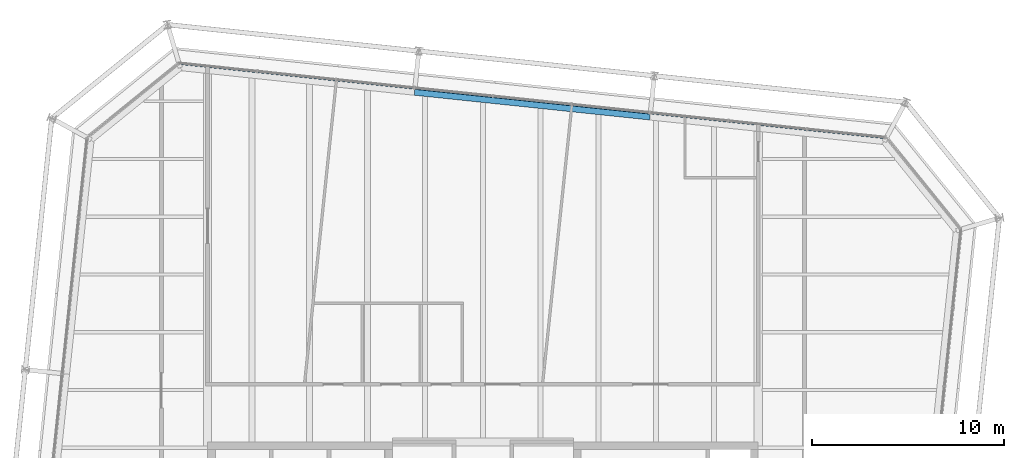
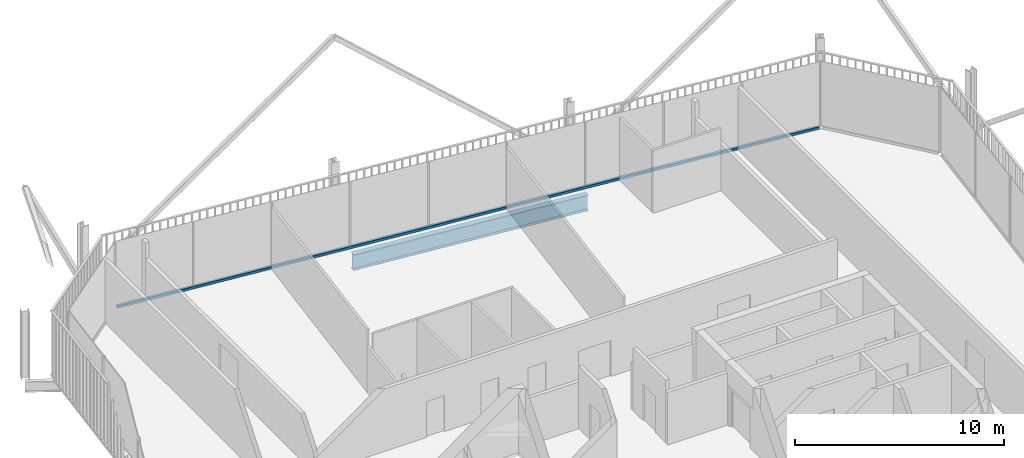
# One storey, part 13 of 21: 1 beam, 1 member, 1 element without a shape of its own.
"""IFC4 building model written with IfcOpenShell, lengths in metres."""

from ifc_helpers import new_model, si_unit, direction, frame, origin, origin_2d, place, context, subcontext, project, spatial, rectangle, i_section, extrude, material, layer, layer_set, material_profile, profile_set, type_object, element, aggregate, save


model = new_model("IFC4")

# Units and contexts
model_context = context("Model", 3, precision=1e-05, world=origin(), true_north=direction((0.0, 1.0)))
body_context = subcontext(model_context, "Body", "Model", "MODEL_VIEW")
ifc_project = project(units=[si_unit("LENGTHUNIT", "METRE"), si_unit("AREAUNIT", "SQUARE_METRE"), si_unit("VOLUMEUNIT", "CUBIC_METRE"), si_unit("PLANEANGLEUNIT", "RADIAN"), si_unit("MASSUNIT", "GRAM", prefix="KILO")], contexts=[model_context])

# Site, building, storey
site_placement = place(None, origin())
site = spatial("IfcSite", under=ifc_project, at=site_placement, CompositionType="ELEMENT")
building_placement = place(site_placement, origin())
building = spatial("IfcBuilding", under=site, at=building_placement, Name="Millrace Tower", CompositionType="ELEMENT")
storey_placement = place(building_placement, frame((0.0, 0.0, 307.199951171875)))
storey = spatial("IfcBuildingStorey", under=building, at=storey_placement, Name="L71", CompositionType="ELEMENT", Elevation=307.199951171875)

# Curtain wall, member
ifc_material_1 = material(Name="Aluminium and glass", Category="aluminium")
ifc_layer = layer(ifc_material_1, 0.14990234375)
ifc_layer_set = layer_set([ifc_layer], Name="Aluminium and glass")
curtain_wall_type = type_object("IfcCurtainWallType", Name="CW-1 office vision curtain wall", PredefinedType="NOTDEFINED", material=ifc_layer_set)
curtain_wall_placement = place(storey_placement, origin())
curtain_wall = element("IfcCurtainWall", 1, at=curtain_wall_placement, inside=storey, type_object=curtain_wall_type, Name="Curtain wall E-F06 L71", PredefinedType="NOTDEFINED")
ifc_material_2 = material(Name="Aluminium", Category="aluminium")
ifc_material_profile_1 = material_profile(ifc_material_2, rectangle(XDim=0.14990234375, YDim=0.139892578125, at=origin_2d()))
ifc_profile_set_1 = profile_set([ifc_material_profile_1], Name="Aluminium")
member_type = type_object("IfcMemberType", Name="CW-1 office vision curtain wall transom", PredefinedType="USERDEFINED", material=ifc_profile_set_1)
member_placement = place(storey_placement, frame((20.83544921875, 25.1318359375, 0.070068359375), z_axis=(-0.994521952886, 0.104527916025, 0.0), x_axis=(-0.104527916025, -0.994521952886, 0.0)))
member = element("IfcMember", 2, at=member_placement, type_object=member_type, Name="CW1 transom E-F06.1", ObjectType="TRANSOM", PredefinedType="USERDEFINED", context=body_context, shape_type="SweptSolid", body=[
    extrude(rectangle(XDim=0.14990234375, YDim=0.139892578125, at=origin_2d()), origin(), (0.0, 0.0, 1.0), 36.699951171875),
])
aggregate(curtain_wall, [member])

# Beam
ifc_material_3 = material(Name="Steel ASTM A992 Grade 50", Category="steel")
ifc_material_profile_2 = material_profile(ifc_material_3, i_section(OverallWidth=0.307373046875, OverallDepth=0.927001953125, WebThickness=0.01953125, FlangeThickness=0.031982421875, FilletRadius=0.01904296875, at=origin_2d()))
ifc_profile_set_2 = profile_set([ifc_material_profile_2], Name="Steel ASTM A992 Grade 50")
beam_type = type_object("IfcBeamType", Name="Ring beam medium span W36x194", PredefinedType="SPANDREL", material=ifc_profile_set_2)
beam_placement = place(storey_placement, frame((-3.554443359375, 27.46533203125, -0.62353515625), z_axis=(0.994522406476, -0.104523600289, 0.0), x_axis=(0.104523600289, 0.994522406476, 0.0)))
element("IfcBeam", 3, at=beam_placement, inside=storey, type_object=beam_type, Name="RNG-E-L71-S1-06", PredefinedType="SPANDREL", context=body_context, shape_type="SweptSolid", body=[
    extrude(i_section(OverallWidth=0.307373046875, OverallDepth=0.927001953125, WebThickness=0.01953125, FlangeThickness=0.031982421875, FilletRadius=0.01904296875, at=origin_2d()), origin(), (0.0, 0.0, 1.0), 12.300048828125),
])

save(model, "model.ifc")
